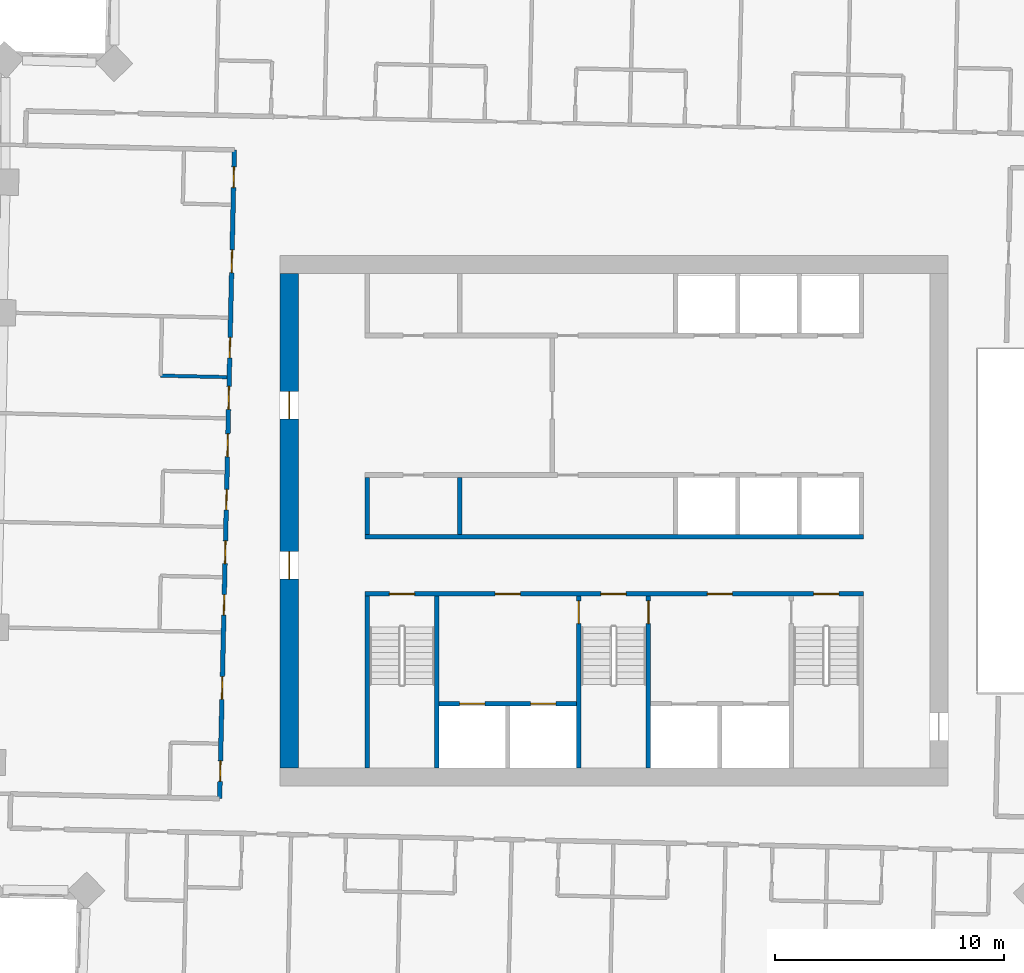
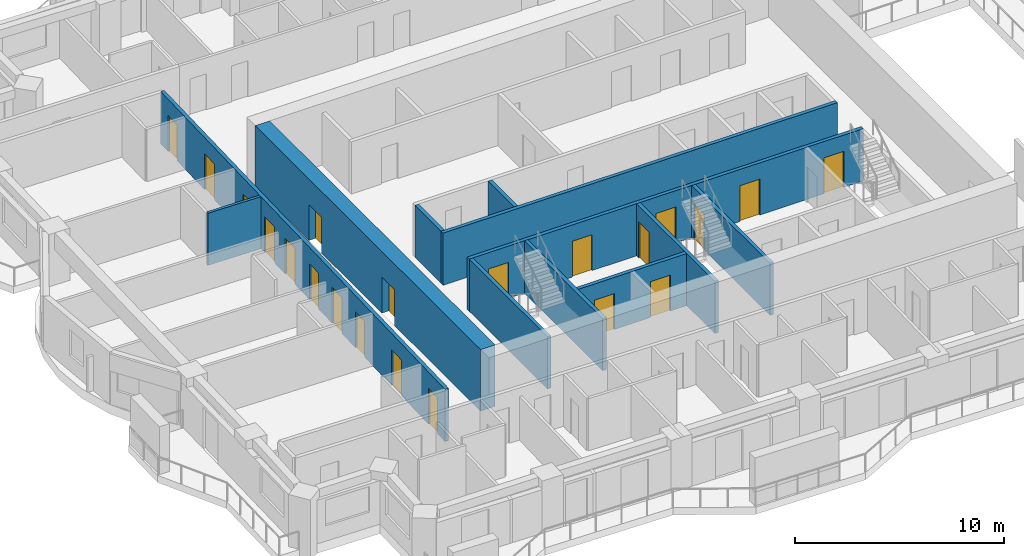
# One storey, part 8 of 16: 21 doors, 12 walls, 21 openings.
"""IFC4 building model written with IfcOpenShell, lengths in metres."""

from ifc_helpers import new_model, si_unit, direction, frame, frame_2d, origin, place, context, subcontext, project, spatial, rectangle, extrude, material, layer, layer_set, type_object, element, fill, save


model = new_model("IFC4")

# Units and contexts
model_context = context("Model", 3, precision=1e-05, world=origin(), true_north=direction((0.0, 1.0)))
body_context = subcontext(model_context, "Body", "Model", "MODEL_VIEW")
ifc_project = project(units=[si_unit("LENGTHUNIT", "METRE"), si_unit("AREAUNIT", "SQUARE_METRE"), si_unit("VOLUMEUNIT", "CUBIC_METRE"), si_unit("PLANEANGLEUNIT", "RADIAN"), si_unit("MASSUNIT", "GRAM", prefix="KILO")], contexts=[model_context])

# Site, building, storey
site_placement = place(None, origin())
site = spatial("IfcSite", under=ifc_project, at=site_placement, CompositionType="ELEMENT")
building_placement = place(site_placement, origin())
building = spatial("IfcBuilding", under=site, at=building_placement, Name="Mangrove Gate Tower", CompositionType="ELEMENT")
storey_placement = place(building_placement, frame((0.0, 0.0, 201.5)))
storey = spatial("IfcBuildingStorey", under=building, at=storey_placement, Name="L51", CompositionType="ELEMENT", Elevation=201.5)

# Walls
ifc_material_1 = material(Name="Concrete C32/40", Category="concrete")
ifc_layer_1 = layer(ifc_material_1, 0.199951171875)
ifc_layer_set_1 = layer_set([ifc_layer_1], Name="Core room wall 200 C32/40")
wall_type_1 = type_object("IfcWallType", Name="Core room wall 200 C32/40", PredefinedType="STANDARD", material=ifc_layer_set_1)
for number, where, z_axis, x_axis, name in (
    (1, (-10.800048828125, -0.60009765625, 0.0), (0.0, 0.0, 1.0), (0.0, 1.0, 0.0), "WALL-L51-CORE-19"),
    (2, (-6.75, -0.60009765625, 0.0), (0.0, 0.0, 1.0), (0.0, 1.0, 0.0), "WALL-L51-CORE-20"),
):
    element("IfcWall", number, at=place(storey_placement, frame(where, z_axis=z_axis, x_axis=x_axis)), inside=storey, type_object=wall_type_1, Name=name, PredefinedType="STANDARD", context=body_context, shape_type="SweptSolid", body=[
        extrude(rectangle(XDim=2.5, YDim=0.199951171875, at=frame_2d((1.25, 0.0))), origin(), (0.0, 0.0, 1.0), 3.050048828125),
    ])
ifc_material_2 = material(Name="Concrete C60/75", Category="concrete")
ifc_layer_2 = layer(ifc_material_2, 0.199951171875)
ifc_layer_set_2 = layer_set([ifc_layer_2], Name="Core shaft wall 200 C60/75")
wall_type_2 = type_object("IfcWallType", Name="Core shaft wall 200 C60/75", PredefinedType="SHEAR", material=ifc_layer_set_2)
wall_1_placement = place(storey_placement, frame((-10.89990234375, -0.699951171875, 0.0), z_axis=(0.0, 0.0, 1.0), x_axis=(1.0, 0.0, 0.0)))
element("IfcWall", 3, at=wall_1_placement, inside=storey, type_object=wall_type_2, Name="WALL-L51-CORE-6", PredefinedType="SHEAR", context=body_context, shape_type="SweptSolid", body=[
    extrude(rectangle(XDim=21.7998046875, YDim=0.199951171875, at=frame_2d((10.89990234375, 0.0))), origin(), (0.0, 0.0, 1.0), 3.050048828125),
])

# Wall, openings, doors
wall_2_placement = place(storey_placement, frame((-7.64990234375, -8.0, 0.0), z_axis=(0.0, 0.0, 1.0), x_axis=(1.0, 0.0, 0.0)))
wall_2 = element("IfcWall", 4, at=wall_2_placement, inside=storey, type_object=wall_type_2, Name="WALL-L51-CORE-15", PredefinedType="SHEAR", context=body_context, shape_type="SweptSolid", body=[
    extrude(rectangle(XDim=6.0, YDim=0.199951171875, at=frame_2d((3.0, 0.0))), origin(), (0.0, 0.0, 1.0), 3.050048828125),
])
opening_1_placement = place(wall_2_placement, frame((0.89990234375, 0.0, 0.0)))
opening_1 = element("IfcOpeningElement", 5, at=opening_1_placement, cuts=wall_2, Name="Opening LD", PredefinedType="OPENING", context=body_context, shape_type="SweptSolid", body=[
    extrude(rectangle(XDim=1.10009765625, YDim=2.10009765625, at=frame_2d((0.550048828125, 1.050048828125))), frame((0.0, 0.10986328125, 0.0), z_axis=(0.0, -1.0, 0.0), x_axis=(1.0, 0.0, 0.0)), (0.0, 0.0, 1.0), 0.219970703125),
])
opening_2_placement = place(wall_2_placement, frame((4.0, 0.0, 0.0)))
opening_2 = element("IfcOpeningElement", 6, at=opening_2_placement, cuts=wall_2, Name="Opening LD", PredefinedType="OPENING", context=body_context, shape_type="SweptSolid", body=[
    extrude(rectangle(XDim=1.10009765625, YDim=2.10009765625, at=frame_2d((0.550048828125, 1.050048828125))), frame((0.0, 0.10986328125, 0.0), z_axis=(0.0, -1.0, 0.0), x_axis=(1.0, 0.0, 0.0)), (0.0, 0.0, 1.0), 0.219970703125),
])
ifc_material_3 = material(Name="Stainless steel 316", Category="steel")
door_type_1 = type_object("IfcDoorType", Name="Lift landing door 1100x2100", OperationType="SLIDING_TO_LEFT", PredefinedType="DOOR", material=ifc_material_3)
door_1_placement = place(opening_1_placement, origin())
door_1 = element("IfcDoor", 7, at=door_1_placement, inside=storey, type_object=door_type_1, Name="Landing door LD SVL1", OperationType="SLIDING_TO_LEFT", OverallHeight=2.10009765625, OverallWidth=1.10009765625, PredefinedType="DOOR", context=body_context, shape_type="SweptSolid", body=[
    extrude(rectangle(XDim=1.10009765625, YDim=2.10009765625, at=frame_2d((0.550048828125, 1.050048828125))), frame((0.0, 0.02490234375, 0.0), z_axis=(0.0, -1.0, 0.0), x_axis=(1.0, 0.0, 0.0)), (0.0, 0.0, 1.0), 0.050048828125),
])
fill(opening_1, door_1)
door_2_placement = place(opening_2_placement, origin())
door_2 = element("IfcDoor", 8, at=door_2_placement, inside=storey, type_object=door_type_1, Name="Landing door LD SVL2", OperationType="SLIDING_TO_LEFT", OverallHeight=2.10009765625, OverallWidth=1.10009765625, PredefinedType="DOOR", context=body_context, shape_type="SweptSolid", body=[
    extrude(rectangle(XDim=1.10009765625, YDim=2.10009765625, at=frame_2d((0.550048828125, 1.050048828125))), frame((0.0, 0.02490234375, 0.0), z_axis=(0.0, -1.0, 0.0), x_axis=(1.0, 0.0, 0.0)), (0.0, 0.0, 1.0), 0.050048828125),
])
fill(opening_2, door_2)

ifc_material_4 = material(Name="Concrete C60/75", Category="concrete")
ifc_layer_3 = layer(ifc_material_4, 0.199951171875)
ifc_layer_set_3 = layer_set([ifc_layer_3], Name="Core stair wall 200 C60/75")
wall_type_3 = type_object("IfcWallType", Name="Core stair wall 200 C60/75", PredefinedType="SHEAR", material=ifc_layer_set_3)
wall_3_placement = place(storey_placement, frame((-10.89990234375, -3.199951171875, 0.0), z_axis=(0.0, 0.0, 1.0), x_axis=(1.0, 0.0, 0.0)))
wall_3 = element("IfcWall", 9, at=wall_3_placement, inside=storey, type_object=wall_type_3, Name="WALL-L51-CORE-5", PredefinedType="SHEAR", context=body_context, shape_type="SweptSolid", body=[
    extrude(rectangle(XDim=21.7998046875, YDim=0.199951171875, at=frame_2d((10.89990234375, 0.0))), origin(), (0.0, 0.0, 1.0), 3.050048828125),
])
opening_3_placement = place(wall_3_placement, frame((1.074951171875, 0.0, 0.0)))
opening_3 = element("IfcOpeningElement", 10, at=opening_3_placement, cuts=wall_3, Name="Opening STD11", PredefinedType="OPENING", context=body_context, shape_type="SweptSolid", body=[
    extrude(rectangle(XDim=1.10009765625, YDim=2.10009765625, at=frame_2d((0.550048828125, 1.050048828125))), frame((0.0, 0.10986328125, 0.0), z_axis=(0.0, -1.0, 0.0), x_axis=(1.0, 0.0, 0.0)), (0.0, 0.0, 1.0), 0.219970703125),
])
opening_4_placement = place(wall_3_placement, frame((10.324951171875, 0.0, 0.0)))
opening_4 = element("IfcOpeningElement", 11, at=opening_4_placement, cuts=wall_3, Name="Opening STD11", PredefinedType="OPENING", context=body_context, shape_type="SweptSolid", body=[
    extrude(rectangle(XDim=1.10009765625, YDim=2.10009765625, at=frame_2d((0.550048828125, 1.050048828125))), frame((0.0, 0.10986328125, 0.0), z_axis=(0.0, -1.0, 0.0), x_axis=(1.0, 0.0, 0.0)), (0.0, 0.0, 1.0), 0.219970703125),
])
opening_5_placement = place(wall_3_placement, frame((19.625, 0.0, 0.0)))
opening_5 = element("IfcOpeningElement", 12, at=opening_5_placement, cuts=wall_3, Name="Opening STD11", PredefinedType="OPENING", context=body_context, shape_type="SweptSolid", body=[
    extrude(rectangle(XDim=1.10009765625, YDim=2.10009765625, at=frame_2d((0.550048828125, 1.050048828125))), frame((0.0, 0.10986328125, 0.0), z_axis=(0.0, -1.0, 0.0), x_axis=(1.0, 0.0, 0.0)), (0.0, 0.0, 1.0), 0.219970703125),
])
opening_6_placement = place(wall_3_placement, frame((5.699951171875, 0.0, 0.0)))
opening_6 = element("IfcOpeningElement", 13, at=opening_6_placement, cuts=wall_3, Name="Opening FL", PredefinedType="OPENING", context=body_context, shape_type="SweptSolid", body=[
    extrude(rectangle(XDim=1.10009765625, YDim=2.10009765625, at=frame_2d((0.550048828125, 1.050048828125))), frame((0.0, 0.10986328125, 0.0), z_axis=(0.0, -1.0, 0.0), x_axis=(1.0, 0.0, 0.0)), (0.0, 0.0, 1.0), 0.219970703125),
])
opening_7_placement = place(wall_3_placement, frame((14.97509765625, 0.0, 0.0)))
opening_7 = element("IfcOpeningElement", 14, at=opening_7_placement, cuts=wall_3, Name="Opening FL", PredefinedType="OPENING", context=body_context, shape_type="SweptSolid", body=[
    extrude(rectangle(XDim=1.10009765625, YDim=2.10009765625, at=frame_2d((0.550048828125, 1.050048828125))), frame((0.0, 0.10986328125, 0.0), z_axis=(0.0, -1.0, 0.0), x_axis=(1.0, 0.0, 0.0)), (0.0, 0.0, 1.0), 0.219970703125),
])
ifc_material_5 = material(Name="Fire-rated steel door set", Category="steel")
door_type_2 = type_object("IfcDoorType", Name="Lobby door FD60 1100x2100", OperationType="SINGLE_SWING_LEFT", PredefinedType="DOOR", material=ifc_material_5)
door_3_placement = place(opening_6_placement, origin())
door_3 = element("IfcDoor", 15, at=door_3_placement, inside=storey, type_object=door_type_2, Name="Lobby door service lobby", OperationType="SINGLE_SWING_LEFT", OverallHeight=2.10009765625, OverallWidth=1.10009765625, PredefinedType="DOOR", context=body_context, shape_type="SweptSolid", body=[
    extrude(rectangle(XDim=1.10009765625, YDim=2.10009765625, at=frame_2d((0.550048828125, 1.050048828125))), frame((0.0, 0.02490234375, 0.0), z_axis=(0.0, -1.0, 0.0), x_axis=(1.0, 0.0, 0.0)), (0.0, 0.0, 1.0), 0.050048828125),
])
fill(opening_6, door_3)
door_4_placement = place(opening_7_placement, origin())
door_4 = element("IfcDoor", 16, at=door_4_placement, inside=storey, type_object=door_type_2, Name="Lobby door fire-fighting lobby", OperationType="SINGLE_SWING_LEFT", OverallHeight=2.10009765625, OverallWidth=1.10009765625, PredefinedType="DOOR", context=body_context, shape_type="SweptSolid", body=[
    extrude(rectangle(XDim=1.10009765625, YDim=2.10009765625, at=frame_2d((0.550048828125, 1.050048828125))), frame((0.0, 0.02490234375, 0.0), z_axis=(0.0, -1.0, 0.0), x_axis=(1.0, 0.0, 0.0)), (0.0, 0.0, 1.0), 0.050048828125),
])
fill(opening_7, door_4)
ifc_material_6 = material(Name="Fire-rated steel door set", Category="steel")
door_type_3 = type_object("IfcDoorType", Name="Stair door FD60 1100x2100", OperationType="SINGLE_SWING_RIGHT", PredefinedType="DOOR", material=ifc_material_6)
door_5_placement = place(opening_3_placement, origin())
door_5 = element("IfcDoor", 17, at=door_5_placement, inside=storey, type_object=door_type_3, Name="Stair door Stair 1", OperationType="SINGLE_SWING_RIGHT", OverallHeight=2.10009765625, OverallWidth=1.10009765625, PredefinedType="DOOR", context=body_context, shape_type="SweptSolid", body=[
    extrude(rectangle(XDim=1.10009765625, YDim=2.10009765625, at=frame_2d((0.550048828125, 1.050048828125))), frame((0.0, 0.02490234375, 0.0), z_axis=(0.0, -1.0, 0.0), x_axis=(1.0, 0.0, 0.0)), (0.0, 0.0, 1.0), 0.050048828125),
])
fill(opening_3, door_5)
door_6_placement = place(opening_4_placement, origin())
door_6 = element("IfcDoor", 18, at=door_6_placement, inside=storey, type_object=door_type_3, Name="Stair door Stair 2", OperationType="SINGLE_SWING_RIGHT", OverallHeight=2.10009765625, OverallWidth=1.10009765625, PredefinedType="DOOR", context=body_context, shape_type="SweptSolid", body=[
    extrude(rectangle(XDim=1.10009765625, YDim=2.10009765625, at=frame_2d((0.550048828125, 1.050048828125))), frame((0.0, 0.02490234375, 0.0), z_axis=(0.0, -1.0, 0.0), x_axis=(1.0, 0.0, 0.0)), (0.0, 0.0, 1.0), 0.050048828125),
])
fill(opening_4, door_6)
door_7_placement = place(opening_5_placement, origin())
door_7 = element("IfcDoor", 19, at=door_7_placement, inside=storey, type_object=door_type_3, Name="Stair door Stair 3", OperationType="SINGLE_SWING_RIGHT", OverallHeight=2.10009765625, OverallWidth=1.10009765625, PredefinedType="DOOR", context=body_context, shape_type="SweptSolid", body=[
    extrude(rectangle(XDim=1.10009765625, YDim=2.10009765625, at=frame_2d((0.550048828125, 1.050048828125))), frame((0.0, 0.02490234375, 0.0), z_axis=(0.0, -1.0, 0.0), x_axis=(1.0, 0.0, 0.0)), (0.0, 0.0, 1.0), 0.050048828125),
])
fill(opening_5, door_7)

# Walls
for number, where, z_axis, x_axis, name in (
    (20, (-10.800048828125, -10.800048828125, 0.0), (0.0, 0.0, 1.0), (0.0, 1.0, 0.0), "WALL-L51-CORE-9"),
    (21, (-7.75, -10.800048828125, 0.0), (0.0, 0.0, 1.0), (0.0, 1.0, 0.0), "WALL-L51-CORE-10"),
):
    element("IfcWall", number, at=place(storey_placement, frame(where, z_axis=z_axis, x_axis=x_axis)), inside=storey, type_object=wall_type_3, Name=name, PredefinedType="SHEAR", context=body_context, shape_type="SweptSolid", body=[
        extrude(rectangle(XDim=7.5, YDim=0.199951171875, at=frame_2d((3.75, 0.0))), origin(), (0.0, 0.0, 1.0), 3.050048828125),
    ])

# Wall, opening, door
wall_4_placement = place(storey_placement, frame((-1.550048828125, -10.800048828125, 0.0), z_axis=(0.0, 0.0, 1.0), x_axis=(0.0, 1.0, 0.0)))
wall_4 = element("IfcWall", 22, at=wall_4_placement, inside=storey, type_object=wall_type_3, Name="WALL-L51-CORE-11", PredefinedType="SHEAR", context=body_context, shape_type="SweptSolid", body=[
    extrude(rectangle(XDim=7.5, YDim=0.199951171875, at=frame_2d((3.75, 0.0))), origin(), (0.0, 0.0, 1.0), 3.050048828125),
])
opening_8_placement = place(wall_4_placement, frame((6.300048828125, 0.0, 0.0)))
opening_8 = element("IfcOpeningElement", 23, at=opening_8_placement, cuts=wall_4, Name="Opening STD10", PredefinedType="OPENING", context=body_context, shape_type="SweptSolid", body=[
    extrude(rectangle(XDim=1.0, YDim=2.10009765625, at=frame_2d((0.5, 1.050048828125))), frame((0.0, 0.10986328125, 0.0), z_axis=(0.0, -1.0, 0.0), x_axis=(1.0, 0.0, 0.0)), (0.0, 0.0, 1.0), 0.219970703125),
])
ifc_material_7 = material(Name="Fire-rated steel door set", Category="steel")
door_type_4 = type_object("IfcDoorType", Name="Stair door FD60 1000x2100", OperationType="SINGLE_SWING_RIGHT", PredefinedType="DOOR", material=ifc_material_7)
door_8_placement = place(opening_8_placement, origin())
door_8 = element("IfcDoor", 24, at=door_8_placement, inside=storey, type_object=door_type_4, Name="Stair door Stair 2 from service lobby", OperationType="SINGLE_SWING_RIGHT", OverallHeight=2.10009765625, OverallWidth=1.0, PredefinedType="DOOR", context=body_context, shape_type="SweptSolid", body=[
    extrude(rectangle(XDim=1.0, YDim=2.10009765625, at=frame_2d((0.5, 1.050048828125))), frame((0.0, 0.02490234375, 0.0), z_axis=(0.0, -1.0, 0.0), x_axis=(1.0, 0.0, 0.0)), (0.0, 0.0, 1.0), 0.050048828125),
])
fill(opening_8, door_8)

wall_5_placement = place(storey_placement, frame((1.5, -10.800048828125, 0.0), z_axis=(0.0, 0.0, 1.0), x_axis=(0.0, 1.0, 0.0)))
wall_5 = element("IfcWall", 25, at=wall_5_placement, inside=storey, type_object=wall_type_3, Name="WALL-L51-CORE-12", PredefinedType="SHEAR", context=body_context, shape_type="SweptSolid", body=[
    extrude(rectangle(XDim=7.5, YDim=0.199951171875, at=frame_2d((3.75, 0.0))), origin(), (0.0, 0.0, 1.0), 3.050048828125),
])
opening_9_placement = place(wall_5_placement, frame((6.300048828125, 0.0, 0.0)))
opening_9 = element("IfcOpeningElement", 26, at=opening_9_placement, cuts=wall_5, Name="Opening STD10", PredefinedType="OPENING", context=body_context, shape_type="SweptSolid", body=[
    extrude(rectangle(XDim=1.0, YDim=2.10009765625, at=frame_2d((0.5, 1.050048828125))), frame((0.0, 0.10986328125, 0.0), z_axis=(0.0, -1.0, 0.0), x_axis=(1.0, 0.0, 0.0)), (0.0, 0.0, 1.0), 0.219970703125),
])
door_9_placement = place(opening_9_placement, origin())
door_9 = element("IfcDoor", 27, at=door_9_placement, inside=storey, type_object=door_type_4, Name="Stair door Stair 2 from fire-fighting lobby", OperationType="SINGLE_SWING_RIGHT", OverallHeight=2.10009765625, OverallWidth=1.0, PredefinedType="DOOR", context=body_context, shape_type="SweptSolid", body=[
    extrude(rectangle(XDim=1.0, YDim=2.10009765625, at=frame_2d((0.5, 1.050048828125))), frame((0.0, 0.02490234375, 0.0), z_axis=(0.0, -1.0, 0.0), x_axis=(1.0, 0.0, 0.0)), (0.0, 0.0, 1.0), 0.050048828125),
])
fill(opening_9, door_9)

# Wall, openings, doors
ifc_material_8 = material(Name="Concrete C60/75", Category="concrete")
ifc_layer_4 = layer(ifc_material_8, 0.800048828125)
ifc_layer_set_4 = layer_set([ifc_layer_4], Name="Core wall 800 C60/75")
wall_type_4 = type_object("IfcWallType", Name="Core wall 800 C60/75", PredefinedType="SHEAR", material=ifc_layer_set_4)
wall_6_placement = place(storey_placement, frame((-14.199951171875, -10.800048828125, 0.0), z_axis=(0.0, 0.0, 1.0), x_axis=(0.0, 1.0, 0.0)))
wall_6 = element("IfcWall", 28, at=wall_6_placement, inside=storey, type_object=wall_type_4, Name="WALL-L51-CORE-3", PredefinedType="SHEAR", context=body_context, shape_type="SweptSolid", body=[
    extrude(rectangle(XDim=21.60009765625, YDim=0.800048828125, at=frame_2d((10.800048828125, 0.0))), origin(), (0.0, 0.0, 1.0), 3.60009765625),
])
opening_10_placement = place(wall_6_placement, frame((8.25, 0.0, 0.0)))
opening_10 = element("IfcOpeningElement", 29, at=opening_10_placement, cuts=wall_6, Name="Opening CD", PredefinedType="OPENING", context=body_context, shape_type="SweptSolid", body=[
    extrude(rectangle(XDim=1.199951171875, YDim=2.10009765625, at=frame_2d((0.60009765625, 1.050048828125))), frame((0.0, 0.409912109375, 0.0), z_axis=(0.0, -1.0, 0.0), x_axis=(1.0, 0.0, 0.0)), (0.0, 0.0, 1.0), 0.820068359375),
])
opening_11_placement = place(wall_6_placement, frame((15.25, 0.0, 0.0)))
opening_11 = element("IfcOpeningElement", 30, at=opening_11_placement, cuts=wall_6, Name="Opening CD", PredefinedType="OPENING", context=body_context, shape_type="SweptSolid", body=[
    extrude(rectangle(XDim=1.199951171875, YDim=2.10009765625, at=frame_2d((0.60009765625, 1.050048828125))), frame((0.0, 0.409912109375, 0.0), z_axis=(0.0, -1.0, 0.0), x_axis=(1.0, 0.0, 0.0)), (0.0, 0.0, 1.0), 0.820068359375),
])
ifc_material_9 = material(Name="Fire-rated steel door set", Category="steel")
door_type_5 = type_object("IfcDoorType", Name="Core ring door FD60 1200x2100", OperationType="DOUBLE_DOOR_SINGLE_SWING", PredefinedType="DOOR", material=ifc_material_9)
door_10_placement = place(opening_10_placement, origin())
door_10 = element("IfcDoor", 31, at=door_10_placement, inside=storey, type_object=door_type_5, Name="Core ring door W1", OperationType="DOUBLE_DOOR_SINGLE_SWING", OverallHeight=2.10009765625, OverallWidth=1.199951171875, PredefinedType="DOOR", context=body_context, shape_type="SweptSolid", body=[
    extrude(rectangle(XDim=1.199951171875, YDim=2.10009765625, at=frame_2d((0.60009765625, 1.050048828125))), frame((0.0, 0.02490234375, 0.0), z_axis=(0.0, -1.0, 0.0), x_axis=(1.0, 0.0, 0.0)), (0.0, 0.0, 1.0), 0.050048828125),
])
fill(opening_10, door_10)
door_11_placement = place(opening_11_placement, origin())
door_11 = element("IfcDoor", 32, at=door_11_placement, inside=storey, type_object=door_type_5, Name="Core ring door W2", OperationType="DOUBLE_DOOR_SINGLE_SWING", OverallHeight=2.10009765625, OverallWidth=1.199951171875, PredefinedType="DOOR", context=body_context, shape_type="SweptSolid", body=[
    extrude(rectangle(XDim=1.199951171875, YDim=2.10009765625, at=frame_2d((0.60009765625, 1.050048828125))), frame((0.0, 0.02490234375, 0.0), z_axis=(0.0, -1.0, 0.0), x_axis=(1.0, 0.0, 0.0)), (0.0, 0.0, 1.0), 0.050048828125),
])
fill(opening_11, door_11)

ifc_material_10 = material(Name="Gypsum board on steel stud, EI 60", Category="steel")
ifc_layer_5 = layer(ifc_material_10, 0.199951171875)
ifc_layer_set_5 = layer_set([ifc_layer_5], Name="Corridor wall EI 60")
wall_type_5 = type_object("IfcWallType", Name="Corridor wall EI 60", PredefinedType="PARTITIONING", material=ifc_layer_set_5)
wall_7_placement = place(storey_placement, frame((-17.2470703125, -12.14892578125, 0.0), z_axis=(0.0, 0.0, 1.0), x_axis=(0.022698146637, 0.999742363881, 0.0)))
wall_7 = element("IfcWall", 33, at=wall_7_placement, inside=storey, type_object=wall_type_5, Name="WALL-L51-030", PredefinedType="PARTITIONING", context=body_context, shape_type="SweptSolid", body=[
    extrude(rectangle(XDim=28.374267578125, YDim=0.199951171875, at=frame_2d((14.18701171875, 0.0))), origin(), (0.0, 0.0, 1.0), 3.050048828125),
])
opening_12_placement = place(wall_7_placement, frame((23.0, 0.0, 0.0)))
opening_12 = element("IfcOpeningElement", 34, at=opening_12_placement, cuts=wall_7, Name="Opening AD", PredefinedType="OPENING", context=body_context, shape_type="SweptSolid", body=[
    extrude(rectangle(XDim=1.0, YDim=2.10009765625, at=frame_2d((0.5, 1.050048828125))), frame((0.0, 0.10986328125, 0.0), z_axis=(0.0, -1.0, 0.0), x_axis=(1.0, 0.0, 0.0)), (0.0, 0.0, 1.0), 0.219970703125),
])
opening_13_placement = place(wall_7_placement, frame((26.72412109375, 0.0, 0.0)))
opening_13 = element("IfcOpeningElement", 35, at=opening_13_placement, cuts=wall_7, Name="Opening SD", PredefinedType="OPENING", context=body_context, shape_type="SweptSolid", body=[
    extrude(rectangle(XDim=0.89990234375, YDim=2.10009765625, at=frame_2d((0.449951171875, 1.050048828125))), frame((0.0, 0.10986328125, 0.0), z_axis=(0.0, -1.0, 0.0), x_axis=(1.0, 0.0, 0.0)), (0.0, 0.0, 1.0), 0.219970703125),
])
opening_14_placement = place(wall_7_placement, frame((17.02490234375, 0.0, 0.0)))
opening_14 = element("IfcOpeningElement", 36, at=opening_14_placement, cuts=wall_7, Name="Opening AD", PredefinedType="OPENING", context=body_context, shape_type="SweptSolid", body=[
    extrude(rectangle(XDim=1.0, YDim=2.10009765625, at=frame_2d((0.5, 1.050048828125))), frame((0.0, 0.10986328125, 0.0), z_axis=(0.0, -1.0, 0.0), x_axis=(1.0, 0.0, 0.0)), (0.0, 0.0, 1.0), 0.219970703125),
])
opening_15_placement = place(wall_7_placement, frame((19.27490234375, 0.0, 0.0)))
opening_15 = element("IfcOpeningElement", 37, at=opening_15_placement, cuts=wall_7, Name="Opening SD", PredefinedType="OPENING", context=body_context, shape_type="SweptSolid", body=[
    extrude(rectangle(XDim=0.89990234375, YDim=2.10009765625, at=frame_2d((0.449951171875, 1.050048828125))), frame((0.0, 0.10986328125, 0.0), z_axis=(0.0, -1.0, 0.0), x_axis=(1.0, 0.0, 0.0)), (0.0, 0.0, 1.0), 0.219970703125),
])
opening_16_placement = place(wall_7_placement, frame((14.949951171875, 0.0, 0.0)))
opening_16 = element("IfcOpeningElement", 38, at=opening_16_placement, cuts=wall_7, Name="Opening AD", PredefinedType="OPENING", context=body_context, shape_type="SweptSolid", body=[
    extrude(rectangle(XDim=1.0, YDim=2.10009765625, at=frame_2d((0.5, 1.050048828125))), frame((0.0, 0.10986328125, 0.0), z_axis=(0.0, -1.0, 0.0), x_axis=(1.0, 0.0, 0.0)), (0.0, 0.0, 1.0), 0.219970703125),
])
opening_17_placement = place(wall_7_placement, frame((12.625, 0.0, 0.0)))
opening_17 = element("IfcOpeningElement", 39, at=opening_17_placement, cuts=wall_7, Name="Opening SD", PredefinedType="OPENING", context=body_context, shape_type="SweptSolid", body=[
    extrude(rectangle(XDim=0.89990234375, YDim=2.10009765625, at=frame_2d((0.449951171875, 1.050048828125))), frame((0.0, 0.10986328125, 0.0), z_axis=(0.0, -1.0, 0.0), x_axis=(1.0, 0.0, 0.0)), (0.0, 0.0, 1.0), 0.219970703125),
])
opening_18_placement = place(wall_7_placement, frame((10.27490234375, 0.0, 0.0)))
opening_18 = element("IfcOpeningElement", 40, at=opening_18_placement, cuts=wall_7, Name="Opening AD", PredefinedType="OPENING", context=body_context, shape_type="SweptSolid", body=[
    extrude(rectangle(XDim=1.0, YDim=2.10009765625, at=frame_2d((0.5, 1.050048828125))), frame((0.0, 0.10986328125, 0.0), z_axis=(0.0, -1.0, 0.0), x_axis=(1.0, 0.0, 0.0)), (0.0, 0.0, 1.0), 0.219970703125),
])
opening_19_placement = place(wall_7_placement, frame((8.02490234375, 0.0, 0.0)))
opening_19 = element("IfcOpeningElement", 41, at=opening_19_placement, cuts=wall_7, Name="Opening SD", PredefinedType="OPENING", context=body_context, shape_type="SweptSolid", body=[
    extrude(rectangle(XDim=0.89990234375, YDim=2.10009765625, at=frame_2d((0.449951171875, 1.050048828125))), frame((0.0, 0.10986328125, 0.0), z_axis=(0.0, -1.0, 0.0), x_axis=(1.0, 0.0, 0.0)), (0.0, 0.0, 1.0), 0.219970703125),
])
opening_20_placement = place(wall_7_placement, frame((4.3369140625, 0.0, 0.0)))
opening_20 = element("IfcOpeningElement", 42, at=opening_20_placement, cuts=wall_7, Name="Opening AD", PredefinedType="OPENING", context=body_context, shape_type="SweptSolid", body=[
    extrude(rectangle(XDim=1.0, YDim=2.10009765625, at=frame_2d((0.5, 1.050048828125))), frame((0.0, 0.10986328125, 0.0), z_axis=(0.0, -1.0, 0.0), x_axis=(1.0, 0.0, 0.0)), (0.0, 0.0, 1.0), 0.219970703125),
])
opening_21_placement = place(wall_7_placement, frame((0.75, 0.0, 0.0)))
opening_21 = element("IfcOpeningElement", 43, at=opening_21_placement, cuts=wall_7, Name="Opening SD", PredefinedType="OPENING", context=body_context, shape_type="SweptSolid", body=[
    extrude(rectangle(XDim=0.89990234375, YDim=2.10009765625, at=frame_2d((0.449951171875, 1.050048828125))), frame((0.0, 0.10986328125, 0.0), z_axis=(0.0, -1.0, 0.0), x_axis=(1.0, 0.0, 0.0)), (0.0, 0.0, 1.0), 0.219970703125),
])
ifc_material_11 = material(Name="Timber door leaf", Category="wood")
door_type_6 = type_object("IfcDoorType", Name="Amenity door 1000", OperationType="SINGLE_SWING_LEFT", PredefinedType="DOOR", material=ifc_material_11)
door_12_placement = place(opening_12_placement, origin())
door_12 = element("IfcDoor", 44, at=door_12_placement, inside=storey, type_object=door_type_6, Name="DOOR-L51-LNG-c5a", OperationType="SINGLE_SWING_LEFT", OverallHeight=2.10009765625, OverallWidth=1.0, PredefinedType="DOOR", context=body_context, shape_type="SweptSolid", body=[
    extrude(rectangle(XDim=1.0, YDim=2.10009765625, at=frame_2d((0.5, 1.050048828125))), frame((0.0, 0.02490234375, 0.0), z_axis=(0.0, -1.0, 0.0), x_axis=(1.0, 0.0, 0.0)), (0.0, 0.0, 1.0), 0.050048828125),
])
fill(opening_12, door_12)
door_13_placement = place(opening_14_placement, origin())
door_13 = element("IfcDoor", 45, at=door_13_placement, inside=storey, type_object=door_type_6, Name="DOOR-L51-STU-c5a", OperationType="SINGLE_SWING_RIGHT", OverallHeight=2.10009765625, OverallWidth=1.0, PredefinedType="DOOR", context=body_context, shape_type="SweptSolid", body=[
    extrude(rectangle(XDim=1.0, YDim=2.10009765625, at=frame_2d((0.5, 1.050048828125))), frame((0.0, 0.02490234375, 0.0), z_axis=(0.0, -1.0, 0.0), x_axis=(1.0, 0.0, 0.0)), (0.0, 0.0, 1.0), 0.050048828125),
])
fill(opening_14, door_13)
door_14_placement = place(opening_16_placement, origin())
door_14 = element("IfcDoor", 46, at=door_14_placement, inside=storey, type_object=door_type_6, Name="DOOR-L51-LNG-c5b", OperationType="SINGLE_SWING_LEFT", OverallHeight=2.10009765625, OverallWidth=1.0, PredefinedType="DOOR", context=body_context, shape_type="SweptSolid", body=[
    extrude(rectangle(XDim=1.0, YDim=2.10009765625, at=frame_2d((0.5, 1.050048828125))), frame((0.0, 0.02490234375, 0.0), z_axis=(0.0, -1.0, 0.0), x_axis=(1.0, 0.0, 0.0)), (0.0, 0.0, 1.0), 0.050048828125),
])
fill(opening_16, door_14)
door_15_placement = place(opening_18_placement, origin())
door_15 = element("IfcDoor", 47, at=door_15_placement, inside=storey, type_object=door_type_6, Name="DOOR-L51-GAM-c5b", OperationType="SINGLE_SWING_RIGHT", OverallHeight=2.10009765625, OverallWidth=1.0, PredefinedType="DOOR", context=body_context, shape_type="SweptSolid", body=[
    extrude(rectangle(XDim=1.0, YDim=2.10009765625, at=frame_2d((0.5, 1.050048828125))), frame((0.0, 0.02490234375, 0.0), z_axis=(0.0, -1.0, 0.0), x_axis=(1.0, 0.0, 0.0)), (0.0, 0.0, 1.0), 0.050048828125),
])
fill(opening_18, door_15)
door_16_placement = place(opening_20_placement, origin())
door_16 = element("IfcDoor", 48, at=door_16_placement, inside=storey, type_object=door_type_6, Name="DOOR-L51-LNG-c5c", OperationType="SINGLE_SWING_LEFT", OverallHeight=2.10009765625, OverallWidth=1.0, PredefinedType="DOOR", context=body_context, shape_type="SweptSolid", body=[
    extrude(rectangle(XDim=1.0, YDim=2.10009765625, at=frame_2d((0.5, 1.050048828125))), frame((0.0, 0.02490234375, 0.0), z_axis=(0.0, -1.0, 0.0), x_axis=(1.0, 0.0, 0.0)), (0.0, 0.0, 1.0), 0.050048828125),
])
fill(opening_20, door_16)
ifc_material_12 = material(Name="Timber door leaf", Category="wood")
door_type_7 = type_object("IfcDoorType", Name="Service room door 900", OperationType="SINGLE_SWING_LEFT", PredefinedType="DOOR", material=ifc_material_12)
door_17_placement = place(opening_13_placement, origin())
door_17 = element("IfcDoor", 49, at=door_17_placement, inside=storey, type_object=door_type_7, Name="DOOR-L51-LIN-c5a", OperationType="SINGLE_SWING_RIGHT", OverallHeight=2.10009765625, OverallWidth=0.89990234375, PredefinedType="DOOR", context=body_context, shape_type="SweptSolid", body=[
    extrude(rectangle(XDim=0.89990234375, YDim=2.10009765625, at=frame_2d((0.449951171875, 1.050048828125))), frame((0.0, 0.02490234375, 0.0), z_axis=(0.0, -1.0, 0.0), x_axis=(1.0, 0.0, 0.0)), (0.0, 0.0, 1.0), 0.050048828125),
])
fill(opening_13, door_17)
door_18_placement = place(opening_15_placement, origin())
door_18 = element("IfcDoor", 50, at=door_18_placement, inside=storey, type_object=door_type_7, Name="DOOR-L51-AWC-c5a", OperationType="SINGLE_SWING_LEFT", OverallHeight=2.10009765625, OverallWidth=0.89990234375, PredefinedType="DOOR", context=body_context, shape_type="SweptSolid", body=[
    extrude(rectangle(XDim=0.89990234375, YDim=2.10009765625, at=frame_2d((0.449951171875, 1.050048828125))), frame((0.0, 0.02490234375, 0.0), z_axis=(0.0, -1.0, 0.0), x_axis=(1.0, 0.0, 0.0)), (0.0, 0.0, 1.0), 0.050048828125),
])
fill(opening_15, door_18)
door_19_placement = place(opening_17_placement, origin())
door_19 = element("IfcDoor", 51, at=door_19_placement, inside=storey, type_object=door_type_7, Name="DOOR-L51-WC-c5a", OperationType="SINGLE_SWING_RIGHT", OverallHeight=2.10009765625, OverallWidth=0.89990234375, PredefinedType="DOOR", context=body_context, shape_type="SweptSolid", body=[
    extrude(rectangle(XDim=0.89990234375, YDim=2.10009765625, at=frame_2d((0.449951171875, 1.050048828125))), frame((0.0, 0.02490234375, 0.0), z_axis=(0.0, -1.0, 0.0), x_axis=(1.0, 0.0, 0.0)), (0.0, 0.0, 1.0), 0.050048828125),
])
fill(opening_17, door_19)
door_20_placement = place(opening_19_placement, origin())
door_20 = element("IfcDoor", 52, at=door_20_placement, inside=storey, type_object=door_type_7, Name="DOOR-L51-WC-c5b", OperationType="SINGLE_SWING_LEFT", OverallHeight=2.10009765625, OverallWidth=0.89990234375, PredefinedType="DOOR", context=body_context, shape_type="SweptSolid", body=[
    extrude(rectangle(XDim=0.89990234375, YDim=2.10009765625, at=frame_2d((0.449951171875, 1.050048828125))), frame((0.0, 0.02490234375, 0.0), z_axis=(0.0, -1.0, 0.0), x_axis=(1.0, 0.0, 0.0)), (0.0, 0.0, 1.0), 0.050048828125),
])
fill(opening_19, door_20)
door_21_placement = place(opening_21_placement, origin())
door_21 = element("IfcDoor", 53, at=door_21_placement, inside=storey, type_object=door_type_7, Name="DOOR-L51-LIN-c5b", OperationType="SINGLE_SWING_RIGHT", OverallHeight=2.10009765625, OverallWidth=0.89990234375, PredefinedType="DOOR", context=body_context, shape_type="SweptSolid", body=[
    extrude(rectangle(XDim=0.89990234375, YDim=2.10009765625, at=frame_2d((0.449951171875, 1.050048828125))), frame((0.0, 0.02490234375, 0.0), z_axis=(0.0, -1.0, 0.0), x_axis=(1.0, 0.0, 0.0)), (0.0, 0.0, 1.0), 0.050048828125),
])
fill(opening_21, door_21)

# Wall
ifc_material_13 = material(Name="Gypsum board on steel stud, EI 60", Category="steel")
ifc_layer_6 = layer(ifc_material_13, 0.14990234375)
ifc_layer_set_6 = layer_set([ifc_layer_6], Name="Party wall 150 EI 60")
wall_type_6 = type_object("IfcWallType", Name="Party wall 150 EI 60", PredefinedType="PARTITIONING", material=ifc_layer_set_6)
wall_8_placement = place(storey_placement, frame((-19.8291015625, 6.344970703125, 0.0), z_axis=(0.0, 0.0, 1.0), x_axis=(0.999741618182, -0.022730967319, 0.0)))
element("IfcWall", 54, at=wall_8_placement, inside=storey, type_object=wall_type_6, Name="WALL-L51-043", PredefinedType="PARTITIONING", context=body_context, shape_type="SweptSolid", body=[
    extrude(rectangle(XDim=2.89990234375, YDim=0.14990234375, at=frame_2d((1.449951171875, 0.0))), origin(), (0.0, 0.0, 1.0), 3.050048828125),
])

save(model, "model.ifc")
